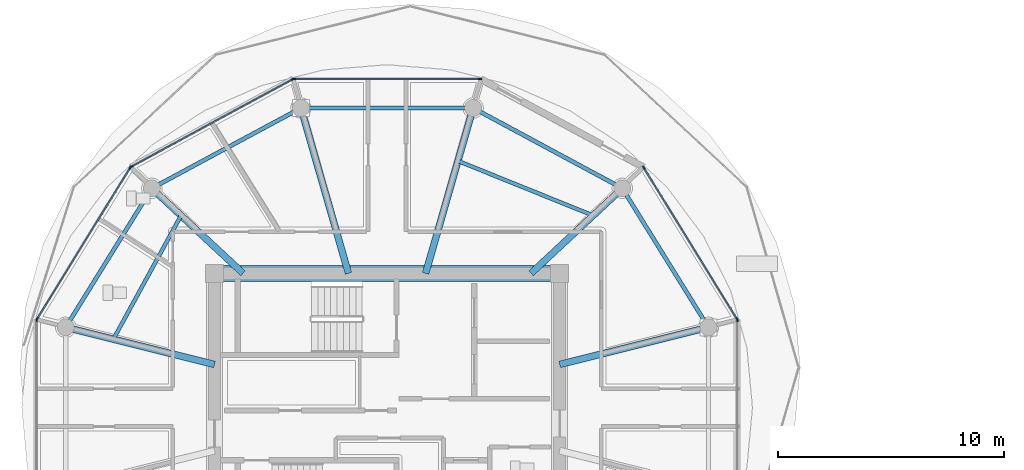
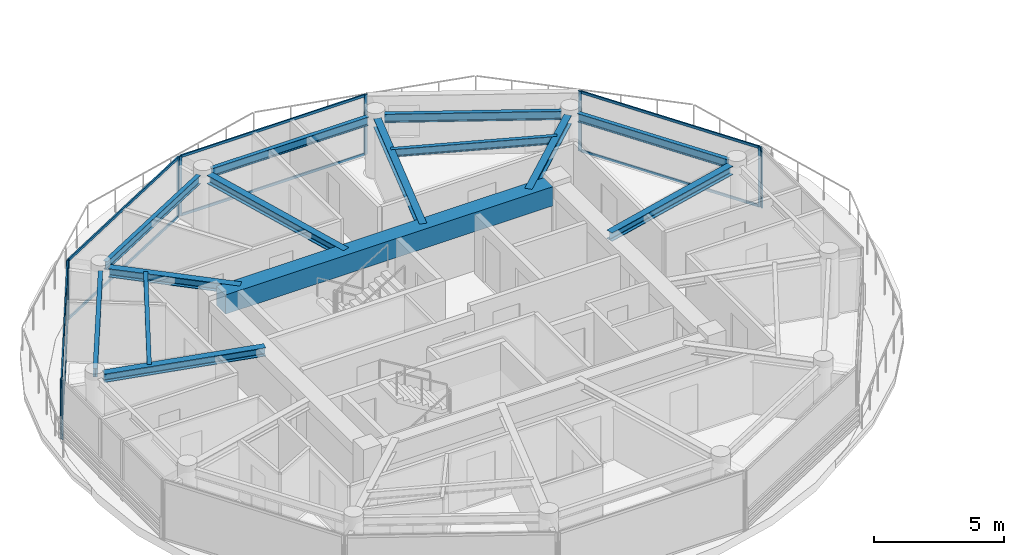
# One storey, part 4 of 28: 18 members, 14 beams, 6 elements without a shape of their own.
"""IFC4 building model written with IfcOpenShell, lengths in metres."""

import ifcopenshell
import ifcopenshell.guid

model = None  # the IFC model being written
_history = None  # IfcOwnerHistory: only IFC2X3 demands one
_inside = {}  # id of a spatial element -> (the spatial element, [elements in it])
_under = {}  # id of a project, library or spatial element -> (it, [spatial elements below it])
_declared = {}  # id of a project -> (the project, [libraries it declares])
_typed = {}  # id of a type object -> (the type object, [elements of that type])
_made_of = {}  # id of a material, layer set ... -> (it, [elements and type objects made of it])


def new_model(schema):
    """Start an empty IFC model of exactly this schema.

    Asked for "IFC4X3", IfcOpenShell would pick the latest addendum, in which some entities
    have other attributes; the version numbers below select the first issue.
    IFC2X3 requires an IfcOwnerHistory on every rooted entity: one is made here for all.
    """
    global model, _history
    if schema == "IFC4X3":
        model = ifcopenshell.file(schema_version=(4, 3, 0, 0))
    else:
        model = ifcopenshell.file(schema=schema)
    _inside.clear()
    _under.clear()
    _declared.clear()
    _typed.clear()
    _made_of.clear()
    _history = None
    if model.schema == "IFC2X3":
        org = make("IfcOrganization", Name="unknown")
        user = make(
            "IfcPersonAndOrganization",
            ThePerson=make("IfcPerson", FamilyName="unknown"),
            TheOrganization=org,
        )
        app = make(
            "IfcApplication",
            ApplicationDeveloper=org,
            Version="unknown",
            ApplicationFullName="unknown",
            ApplicationIdentifier="unknown",
        )
        _history = make(
            "IfcOwnerHistory",
            OwningUser=user,
            OwningApplication=app,
            ChangeAction="ADDED",
            CreationDate=0,
        )
    return model


def make(cls, **values):
    """One entity of the class cls with the attributes given. An attribute that is None is left unset."""
    return model.create_entity(
        cls, **{name: value for name, value in values.items() if value is not None}
    )


def rooted(cls, **values):
    """An entity with a GlobalId (a new one), such as an element, a storey or a relation."""
    return make(cls, GlobalId=ifcopenshell.guid.new(), OwnerHistory=_history, **values)


def si_unit(unit_type, name, prefix=None):
    """IfcSIUnit, for example si_unit("LENGTHUNIT", "METRE", prefix="MILLI")."""
    return make("IfcSIUnit", UnitType=unit_type, Prefix=prefix, Name=name)


def assignment(units):
    """IfcUnitAssignment: the units of a project."""
    return None if units is None else make("IfcUnitAssignment", Units=units)


def point(xyz):
    """IfcCartesianPoint."""
    return None if xyz is None else make("IfcCartesianPoint", Coordinates=xyz)


def direction(xyz):
    """IfcDirection."""
    return None if xyz is None else make("IfcDirection", DirectionRatios=xyz)


def frame(location, z_axis=None, x_axis=None):
    """IfcAxis2Placement3D, a coordinate frame: its origin and axes. An axis left out is left unset."""
    return make(
        "IfcAxis2Placement3D",
        Location=point(location),
        Axis=direction(z_axis),
        RefDirection=direction(x_axis),
    )


def frame_2d(location, x_axis=None):
    """IfcAxis2Placement2D, a coordinate frame in the plane: its origin and x axis."""
    return make(
        "IfcAxis2Placement2D", Location=point(location), RefDirection=direction(x_axis)
    )


def origin():
    """The frame at (0, 0, 0) with its axes left unset."""
    return frame((0.0, 0.0, 0.0))


def origin_2d():
    """The frame at (0, 0) in the plane with its x axis left unset."""
    return frame_2d((0.0, 0.0))


def place(relative_to, where):
    """IfcLocalPlacement: puts the frame where relative to a parent placement (None: the world)."""
    return make(
        "IfcLocalPlacement", PlacementRelTo=relative_to, RelativePlacement=where
    )


def context(
    kind, dimensions, precision=None, world=None, true_north=None, identifier=None
):
    """IfcGeometricRepresentationContext, for example the 3D "Model" context."""
    return make(
        "IfcGeometricRepresentationContext",
        ContextIdentifier=identifier,
        ContextType=kind,
        CoordinateSpaceDimension=dimensions,
        Precision=precision,
        WorldCoordinateSystem=world,
        TrueNorth=true_north,
    )


def subcontext(parent, identifier, kind, view, scale=None):
    """IfcGeometricRepresentationSubContext, for example "Body" below "Model"."""
    return make(
        "IfcGeometricRepresentationSubContext",
        ContextIdentifier=identifier,
        ContextType=kind,
        ParentContext=parent,
        TargetScale=scale,
        TargetView=view,
    )


def project(units=None, contexts=None):
    """IfcProject with its units and contexts."""
    return rooted(
        "IfcProject",
        Name="project",
        RepresentationContexts=contexts,
        UnitsInContext=assignment(units),
    )


def spatial(cls, under=None, at=None, **own):
    """A site, building, storey or space (cls), placed at a placement, below another one or the project."""
    s = rooted(cls, ObjectPlacement=at, **own)
    if under is not None:
        _under.setdefault(under.id(), (under, []))[1].append(s)
    return s


def profile(cls, at=None, kind="AREA", **sizes):
    """A parametric profile (cls). Its sizes go by their IFC names, for example OverallWidth=200.0."""
    return make(cls, ProfileType=kind, Position=at, **sizes)


def rectangle(**sizes):
    """IfcRectangleProfileDef."""
    return profile("IfcRectangleProfileDef", **sizes)


def i_section(**sizes):
    """IfcIShapeProfileDef."""
    return profile("IfcIShapeProfileDef", **sizes)


def extrude(swept, where, along, depth):
    """IfcExtrudedAreaSolid: the profile swept, set in the frame where, extruded along a direction by depth."""
    return make(
        "IfcExtrudedAreaSolid",
        SweptArea=swept,
        Position=where,
        ExtrudedDirection=direction(along),
        Depth=depth,
    )


def shape(context_of_items, identifier, shape_type, items):
    """IfcShapeRepresentation: the items that make up one representation, for example the "Body"."""
    return make(
        "IfcShapeRepresentation",
        ContextOfItems=context_of_items,
        RepresentationIdentifier=identifier,
        RepresentationType=shape_type,
        Items=items,
    )


def source(mapping_origin, context_of_items, identifier, shape_type, items):
    """IfcRepresentationMap: a shape defined once, which mapped items show again and again."""
    return make(
        "IfcRepresentationMap",
        MappingOrigin=mapping_origin,
        MappedRepresentation=shape(context_of_items, identifier, shape_type, items),
    )


def transform(
    local_origin,
    x_axis=None,
    y_axis=None,
    z_axis=None,
    scale=None,
    scale2=None,
    scale3=None,
    uniform=True,
):
    """IfcCartesianTransformationOperator3D, or its non-uniform kind. x_axis, y_axis, z_axis: its Axis1, 2, 3."""
    if uniform:
        return make(
            "IfcCartesianTransformationOperator3D",
            Axis1=direction(x_axis),
            Axis2=direction(y_axis),
            LocalOrigin=point(local_origin),
            Scale=scale,
            Axis3=direction(z_axis),
        )
    return make(
        "IfcCartesianTransformationOperator3DnonUniform",
        Axis1=direction(x_axis),
        Axis2=direction(y_axis),
        LocalOrigin=point(local_origin),
        Scale=scale,
        Axis3=direction(z_axis),
        Scale2=scale2,
        Scale3=scale3,
    )


def mapped(mapping_source, mapping_target):
    """IfcMappedItem: shows the shape of a source again, moved by a transform."""
    return make(
        "IfcMappedItem", MappingSource=mapping_source, MappingTarget=mapping_target
    )


def material(Name=None, Category=None):
    """IfcMaterial."""
    return make("IfcMaterial", Name=Name, Category=Category)


def layer(
    of_material, thickness, ventilated=None, Name=None, Category=None, Priority=None
):
    """IfcMaterialLayer: one layer of a wall or slab, of a material (None: an air gap)."""
    return make(
        "IfcMaterialLayer",
        Material=of_material,
        LayerThickness=thickness,
        IsVentilated=ventilated,
        Name=Name,
        Category=Category,
        Priority=Priority,
    )


def layer_set(layers, Name=None):
    """IfcMaterialLayerSet."""
    return make("IfcMaterialLayerSet", MaterialLayers=layers, LayerSetName=Name)


def material_profile(
    of_material, cross_section, Name=None, Category=None, Priority=None
):
    """IfcMaterialProfile: a cross section and its material."""
    return make(
        "IfcMaterialProfile",
        Name=Name,
        Material=of_material,
        Profile=cross_section,
        Priority=Priority,
        Category=Category,
    )


def profile_set(profiles, Name=None, composite=None):
    """IfcMaterialProfileSet."""
    return make(
        "IfcMaterialProfileSet",
        Name=Name,
        MaterialProfiles=profiles,
        CompositeProfile=composite,
    )


def made_of(thing, what):
    """Note that an element or type object is made of a material, layer set ...; save() writes the relation."""
    if what is not None:
        _made_of.setdefault(what.id(), (what, []))[1].append(thing)
    return thing


def type_object(cls, material=None, **own):
    """A type object (cls), such as IfcWallType, which elements share."""
    return made_of(rooted(cls, **own), material)


def type_shapes(of_type, sources):
    """Give a type object the sources (RepresentationMaps) that its elements show as mapped items."""
    of_type.RepresentationMaps = sources


def element(
    cls,
    number,
    at=None,
    inside=None,
    cuts=None,
    type_object=None,
    material=None,
    context=None,
    identifier="Body",
    shape_type=None,
    held_by="IfcProductDefinitionShape",
    body=None,
    shapes=None,
    **own,
):
    """One element of the class cls, such as IfcWall. Its Tag is "e" and its number.

    at: its placement. inside: the storey or other place that contains it. cuts: it is an
    opening in that element (IfcRelVoidsElement). A single representation is given by context,
    identifier, shape_type and body (its items); several are given by shapes. held_by: the class
    of the entity that holds the representations. save() writes the other relations.
    """
    e = rooted(cls, Tag="e%d" % number, ObjectPlacement=at, **own)
    if body is not None:
        shapes = [shape(context, identifier, shape_type, body)]
    if shapes is not None:
        e.Representation = make(held_by, Representations=shapes)
    if inside is not None:
        _inside.setdefault(inside.id(), (inside, []))[1].append(e)
    if cuts is not None:
        rooted(
            "IfcRelVoidsElement", RelatingBuildingElement=cuts, RelatedOpeningElement=e
        )
    if type_object is not None:
        _typed.setdefault(type_object.id(), (type_object, []))[1].append(e)
    return made_of(e, material)


def aggregate(whole, parts):
    """IfcRelAggregates: a whole, such as a stair, and the parts it consists of."""
    return rooted("IfcRelAggregates", RelatingObject=whole, RelatedObjects=parts)


def save(model, path):
    """Write the relations noted so far, then the file.

    IfcRelAggregates (storeys below a building ...), IfcRelContainedInSpatialStructure (elements
    in a storey), IfcRelDefinesByType, IfcRelAssociatesMaterial and IfcRelDeclares: one each for
    every whole, place, type object, material and project.
    """
    for whole, parts in _under.values():
        aggregate(whole, parts)
    for where, things in _inside.values():
        rooted(
            "IfcRelContainedInSpatialStructure",
            RelatedElements=things,
            RelatingStructure=where,
        )
    for kind, things in _typed.values():
        rooted("IfcRelDefinesByType", RelatedObjects=things, RelatingType=kind)
    for what, things in _made_of.values():
        rooted("IfcRelAssociatesMaterial", RelatedObjects=things, RelatingMaterial=what)
    for by, libraries in _declared.values():
        rooted("IfcRelDeclares", RelatingContext=by, RelatedDefinitions=libraries)
    model.write(path)


model = new_model("IFC4")

# Units and contexts
model_context = context("Model", 3, precision=1e-05, world=origin(), true_north=direction((0.0, 1.0)))
body_context = subcontext(model_context, "Body", "Model", "MODEL_VIEW")
ifc_project = project(units=[si_unit("LENGTHUNIT", "METRE"), si_unit("AREAUNIT", "SQUARE_METRE"), si_unit("VOLUMEUNIT", "CUBIC_METRE"), si_unit("PLANEANGLEUNIT", "RADIAN"), si_unit("MASSUNIT", "GRAM", prefix="KILO")], contexts=[model_context])

# Site, building, storey
site_placement = place(None, origin())
site = spatial("IfcSite", under=ifc_project, at=site_placement, CompositionType="ELEMENT")
building_placement = place(site_placement, origin())
building = spatial("IfcBuilding", under=site, at=building_placement, Name="Norrkilde Senior Care Towers", CompositionType="ELEMENT")
storey_placement = place(building_placement, frame((0.0, 0.0, 190.64990234375)))
storey = spatial("IfcBuildingStorey", under=building, at=storey_placement, Name="L59", CompositionType="ELEMENT", Elevation=190.64990234375)

# Beams
ifc_material_1 = material(Name="Concrete C60/75", Category="concrete")
ifc_material_profile_1 = material_profile(ifc_material_1, rectangle(XDim=0.699951171875, YDim=0.89990234375, at=origin_2d()), Name="RC BM 700x900")
ifc_profile_set_1 = profile_set([ifc_material_profile_1], Name="Concrete C60/75")
beam_type_1 = type_object("IfcBeamType", Name="Core Coupling Girder 700x900", PredefinedType="USERDEFINED", material=ifc_profile_set_1)
shared_shape_1 = source(origin(), body_context, "Body", "SweptSolid", [
    extrude(rectangle(XDim=0.699951171875, YDim=0.89990234375, at=origin_2d()), origin(), (0.0, 0.0, 1.0), 14.5400390625),
])
type_shapes(beam_type_1, [shared_shape_1])
beam_1_placement = place(storey_placement, frame((-35.27001953125, 5.949951171875, 2.360107421875), z_axis=(1.0, 0.0, 0.0), x_axis=(0.0, 1.0, 0.0)))
element("IfcBeam", 1, at=beam_1_placement, inside=storey, type_object=beam_type_1, Name="L59 Core W N Coupling Girder", ObjectType="GIRDER", PredefinedType="USERDEFINED", context=body_context, shape_type="MappedRepresentation", body=[
    mapped(shared_shape_1, transform((0.0, 0.0, 0.0), x_axis=(1.0, 0.0, 0.0), y_axis=(0.0, 1.0, 0.0), z_axis=(0.0, 0.0, 1.0), scale=1.0)),
])
ifc_material_2 = material(Name="Steel S355", Category="steel")
ifc_material_profile_2 = material_profile(ifc_material_2, i_section(OverallWidth=0.179931640625, OverallDepth=0.39990234375, WebThickness=0.008544921875, FlangeThickness=0.013427734375, FilletRadius=0.02099609375, at=origin_2d()), Name="IPE 400")
ifc_profile_set_2 = profile_set([ifc_material_profile_2], Name="Steel S355")
beam_type_2 = type_object("IfcBeamType", Name="Perimeter Ring Spandrel Z4 IPE400", PredefinedType="SPANDREL", material=ifc_profile_set_2)
shared_shape_2 = source(origin(), body_context, "Body", "SweptSolid", [
    extrude(i_section(OverallWidth=0.179931640625, OverallDepth=0.39990234375, WebThickness=0.008544921875, FlangeThickness=0.013427734375, FilletRadius=0.02099609375, at=origin_2d()), origin(), (0.0, 0.0, 1.0), 6.58056640625),
])
for number, where, z_axis, x_axis, name in (
    (2, (-13.928955078125, 3.843505859375, 2.610107421875), (-0.526529583789, 0.850156807533, 0.0), (-0.850156807533, -0.526529583789, 0.0), "L59 Drum W Perimeter Spandrel 01"),
    (3, (-38.606201171875, 9.43798828125, 2.610107421875), (-0.526529583789, -0.850156807533, 0.0), (0.850156807533, -0.526529583789, 0.0), "L59 Drum W Perimeter Spandrel 05"),
):
    element("IfcBeam", number, at=place(storey_placement, frame(where, z_axis=z_axis, x_axis=x_axis)), inside=storey, type_object=beam_type_2, Name=name, PredefinedType="SPANDREL", context=body_context, shape_type="MappedRepresentation", body=[
        mapped(shared_shape_2, transform((0.0, 0.0, 0.0), x_axis=(1.0, 0.0, 0.0), y_axis=(0.0, 1.0, 0.0), z_axis=(0.0, 0.0, 1.0), scale=1.0)),
    ])
ifc_material_profile_3 = material_profile(ifc_material_2, i_section(OverallWidth=0.300048828125, OverallDepth=0.39990234375, WebThickness=0.013427734375, FlangeThickness=0.02392578125, FilletRadius=0.027099609375, at=origin_2d()), Name="HEB 400")
ifc_profile_set_3 = profile_set([ifc_material_profile_3], Name="Steel S355")
beam_type_3 = type_object("IfcBeamType", Name="Radial Floor Beam Z4 HEB400", PredefinedType="BEAM", material=ifc_profile_set_3)
shared_shape_3 = source(origin(), body_context, "Body", "SweptSolid", [
    extrude(i_section(OverallWidth=0.300048828125, OverallDepth=0.39990234375, WebThickness=0.013427734375, FlangeThickness=0.02392578125, FilletRadius=0.027099609375, at=origin_2d()), origin(), (0.0, 0.0, 1.0), 6.465087890625),
])
for number, where, z_axis, x_axis, name in (
    (4, (-20.35009765625, 1.910888671875, 2.610107421875), (0.970195788563, 0.242322371758, 0.0), (-0.242322371758, 0.970195788563, 0.0), "L59 Drum W Radial Floor Beam 01"),
    (5, (-35.64990234375, 1.910888671875, 2.610107421875), (-0.970195788563, 0.242322371758, 0.0), (-0.242322371758, -0.970195788563, 0.0), "L59 Drum W Radial Floor Beam 06"),
):
    element("IfcBeam", number, at=place(storey_placement, frame(where, z_axis=z_axis, x_axis=x_axis)), inside=storey, type_object=beam_type_3, Name=name, PredefinedType="BEAM", context=body_context, shape_type="MappedRepresentation", body=[
        mapped(shared_shape_3, transform((0.0, 0.0, 0.0), x_axis=(1.0, 0.0, 0.0), y_axis=(0.0, 1.0, 0.0), z_axis=(0.0, 0.0, 1.0), scale=1.0)),
    ])
shared_shape_4 = source(origin(), body_context, "Body", "SweptSolid", [
    extrude(i_section(OverallWidth=0.179931640625, OverallDepth=0.39990234375, WebThickness=0.008544921875, FlangeThickness=0.013427734375, FilletRadius=0.02099609375, at=origin_2d()), origin(), (0.0, 0.0, 1.0), 6.839111328125),
])
for number, where, z_axis, x_axis, name in (
    (6, (-17.865234375, 9.881591796875, 2.610107421875), (-0.880563930732, 0.473927382511, 0.0), (-0.473927382511, -0.880563930732, 0.0), "L59 Drum W Perimeter Spandrel 02"),
    (7, (-32.112548828125, 13.122802734375, 2.610107421875), (-0.880563930732, -0.473927382511, 0.0), (0.473927382511, -0.880563930732, 0.0), "L59 Drum W Perimeter Spandrel 04"),
):
    element("IfcBeam", number, at=place(storey_placement, frame(where, z_axis=z_axis, x_axis=x_axis)), inside=storey, type_object=beam_type_2, Name=name, PredefinedType="SPANDREL", context=body_context, shape_type="MappedRepresentation", body=[
        mapped(shared_shape_4, transform((0.0, 0.0, 0.0), x_axis=(1.0, 0.0, 0.0), y_axis=(0.0, 1.0, 0.0), z_axis=(0.0, 0.0, 1.0), scale=1.0)),
    ])
shared_shape_5 = source(origin(), body_context, "Body", "SweptSolid", [
    extrude(i_section(OverallWidth=0.300048828125, OverallDepth=0.39990234375, WebThickness=0.013427734375, FlangeThickness=0.02392578125, FilletRadius=0.027099609375, at=origin_2d()), origin(), (0.0, 0.0, 1.0), 5.197998046875),
])
for number, where, z_axis, x_axis, name in (
    (8, (-21.6171875, 5.949951171875, 2.610107421875), (0.731448749334, 0.681896419625, 0.0), (-0.681896419625, 0.731448749334, 0.0), "L59 Drum W Radial Floor Beam 02"),
    (9, (-34.3828125, 5.949951171875, 2.610107421875), (-0.731448749334, 0.681896419625, 0.0), (-0.681896419625, -0.731448749334, 0.0), "L59 Drum W Radial Floor Beam 05"),
):
    element("IfcBeam", number, at=place(storey_placement, frame(where, z_axis=z_axis, x_axis=x_axis)), inside=storey, type_object=beam_type_3, Name=name, PredefinedType="BEAM", context=body_context, shape_type="MappedRepresentation", body=[
        mapped(shared_shape_5, transform((0.0, 0.0, 0.0), x_axis=(1.0, 0.0, 0.0), y_axis=(0.0, 1.0, 0.0), z_axis=(0.0, 0.0, 1.0), scale=1.0)),
    ])
shared_shape_6 = source(origin(), body_context, "Body", "SweptSolid", [
    extrude(i_section(OverallWidth=0.179931640625, OverallDepth=0.39990234375, WebThickness=0.008544921875, FlangeThickness=0.013427734375, FilletRadius=0.02099609375, at=origin_2d()), origin(), (0.0, 0.0, 1.0), 6.96533203125),
])
type_shapes(beam_type_2, [shared_shape_2, shared_shape_4, shared_shape_6])
beam_2_placement = place(storey_placement, frame((-24.517333984375, 13.281494140625, 2.610107421875), z_axis=(-1.0, 0.0, 0.0), x_axis=(0.0, -1.0, 0.0)))
element("IfcBeam", 10, at=beam_2_placement, inside=storey, type_object=beam_type_2, Name="L59 Drum W Perimeter Spandrel 03", PredefinedType="SPANDREL", context=body_context, shape_type="MappedRepresentation", body=[
    mapped(shared_shape_6, transform((0.0, 0.0, 0.0), x_axis=(1.0, 0.0, 0.0), y_axis=(0.0, 1.0, 0.0), z_axis=(0.0, 0.0, 1.0), scale=1.0)),
])
shared_shape_7 = source(origin(), body_context, "Body", "SweptSolid", [
    extrude(i_section(OverallWidth=0.300048828125, OverallDepth=0.39990234375, WebThickness=0.013427734375, FlangeThickness=0.02392578125, FilletRadius=0.027099609375, at=origin_2d()), origin(), (0.0, 0.0, 1.0), 7.29345703125),
])
type_shapes(beam_type_3, [shared_shape_3, shared_shape_5, shared_shape_7])
for number, where, z_axis, x_axis, name in (
    (11, (-26.289794921875, 5.949951171875, 2.610107421875), (0.276263751906, 0.961081858836, 0.0), (-0.961081858836, 0.276263751906, 0.0), "L59 Drum W Radial Floor Beam 03"),
    (12, (-29.710205078125, 5.949951171875, 2.610107421875), (-0.276263751906, 0.961081858836, 0.0), (-0.961081858836, -0.276263751906, 0.0), "L59 Drum W Radial Floor Beam 04"),
):
    element("IfcBeam", number, at=place(storey_placement, frame(where, z_axis=z_axis, x_axis=x_axis)), inside=storey, type_object=beam_type_3, Name=name, PredefinedType="BEAM", context=body_context, shape_type="MappedRepresentation", body=[
        mapped(shared_shape_7, transform((0.0, 0.0, 0.0), x_axis=(1.0, 0.0, 0.0), y_axis=(0.0, 1.0, 0.0), z_axis=(0.0, 0.0, 1.0), scale=1.0)),
    ])
ifc_material_profile_4 = material_profile(ifc_material_2, i_section(OverallWidth=0.169921875, OverallDepth=0.360107421875, WebThickness=0.008056640625, FlangeThickness=0.0126953125, FilletRadius=0.01806640625, at=origin_2d()), Name="IPE 360")
ifc_profile_set_4 = profile_set([ifc_material_profile_4], Name="Steel S355")
beam_type_4 = type_object("IfcBeamType", Name="Secondary Floor Joist IPE360", PredefinedType="JOIST", material=ifc_profile_set_4)
shared_shape_8 = source(origin(), body_context, "Body", "SweptSolid", [
    extrude(i_section(OverallWidth=0.169921875, OverallDepth=0.360107421875, WebThickness=0.008056640625, FlangeThickness=0.0126953125, FilletRadius=0.01806640625, at=origin_2d()), origin(), (0.0, 0.0, 1.0), 6.461669921875),
])
beam_3_placement = place(storey_placement, frame((-18.865234375, 8.515380859375, 2.630126953125), z_axis=(-0.927225942298, 0.374502405772, 0.0), x_axis=(-0.374502405772, -0.927225942298, 0.0)))
element("IfcBeam", 13, at=beam_3_placement, inside=storey, type_object=beam_type_4, Name="L59 Drum W Secondary Floor Joist 1", PredefinedType="JOIST", context=body_context, shape_type="MappedRepresentation", body=[
    mapped(shared_shape_8, transform((0.0, 0.0, 0.0), x_axis=(1.0, 0.0, 0.0), y_axis=(0.0, 1.0, 0.0), z_axis=(0.0, 0.0, 1.0), scale=1.0)),
])
shared_shape_9 = source(origin(), body_context, "Body", "SweptSolid", [
    extrude(i_section(OverallWidth=0.169921875, OverallDepth=0.360107421875, WebThickness=0.008056640625, FlangeThickness=0.0126953125, FilletRadius=0.01806640625, at=origin_2d()), origin(), (0.0, 0.0, 1.0), 6.25146484375),
])
type_shapes(beam_type_4, [shared_shape_8, shared_shape_9])
beam_4_placement = place(storey_placement, frame((-37.134765625, 8.515380859375, 2.630126953125), z_axis=(-0.480115752653, -0.877205143655, 0.0), x_axis=(0.877205143655, -0.480115752653, 0.0)))
element("IfcBeam", 14, at=beam_4_placement, inside=storey, type_object=beam_type_4, Name="L59 Drum W Secondary Floor Joist 2", PredefinedType="JOIST", context=body_context, shape_type="MappedRepresentation", body=[
    mapped(shared_shape_9, transform((0.0, 0.0, 0.0), x_axis=(1.0, 0.0, 0.0), y_axis=(0.0, 1.0, 0.0), z_axis=(0.0, 0.0, 1.0), scale=1.0)),
])

# Curtain wall, members
ifc_material_3 = material(Name="Triple Low-E Insulated Glazing", Category="glass")
ifc_layer = layer(ifc_material_3, 0.18505859375)
ifc_layer_set = layer_set([ifc_layer], Name="Triple Low-E Insulated Glazing")
curtain_wall_type = type_object("IfcCurtainWallType", Name="CW6 Zone 4 Crown Pavilion Curtain Wall", PredefinedType="NOTDEFINED", material=ifc_layer_set)
curtain_wall_1_placement = place(storey_placement, origin())
curtain_wall_1 = element("IfcCurtainWall", 15, at=curtain_wall_1_placement, inside=storey, type_object=curtain_wall_type, Name="L59 Drum W Curtain Wall 00", PredefinedType="NOTDEFINED")
ifc_material_4 = material(Name="Anodised Aluminium", Category="aluminium")
ifc_material_profile_5 = material_profile(ifc_material_4, rectangle(XDim=0.06494140625, YDim=0.14990234375, at=origin_2d()), Name="ALU MULL 65x150")
ifc_profile_set_5 = profile_set([ifc_material_profile_5], Name="Anodised Aluminium")
member_type_1 = type_object("IfcMemberType", Name="Curtain Wall Mullion Z3-Z4 65x150", PredefinedType="MULLION", material=ifc_profile_set_5)
shared_shape_10 = source(origin(), body_context, "Body", "SweptSolid", [
    extrude(rectangle(XDim=0.06494140625, YDim=0.14990234375, at=origin_2d()), origin(), (0.0, 0.0, 1.0), 2.81005859375),
])
type_shapes(member_type_1, [shared_shape_10])
member_1_placement = place(storey_placement, frame((-16.61279296875, 10.635498046875, 0.0), z_axis=(0.0, 0.0, 1.0), x_axis=(0.851562727283, 0.524252726748, 0.0)))
member_1 = element("IfcMember", 16, at=member_1_placement, type_object=member_type_1, Name="CW-6 mullion 1", PredefinedType="MULLION", context=body_context, shape_type="MappedRepresentation", body=[
    mapped(shared_shape_10, transform((0.0, 0.0, 0.0), x_axis=(1.0, 0.0, 0.0), y_axis=(0.0, 1.0, 0.0), z_axis=(0.0, 0.0, 1.0), scale=1.0)),
])
member_2_placement = place(storey_placement, frame((-12.48486328125, 3.9306640625, 0.0), z_axis=(0.0, 0.0, 1.0), x_axis=(0.851562727283, 0.524252726748, 0.0)))
member_2 = element("IfcMember", 17, at=member_2_placement, type_object=member_type_1, Name="CW-6 mullion 2", PredefinedType="MULLION", context=body_context, shape_type="MappedRepresentation", body=[
    mapped(shared_shape_10, transform((0.0, 0.0, 0.0), x_axis=(1.0, 0.0, 0.0), y_axis=(0.0, 1.0, 0.0), z_axis=(0.0, 0.0, 1.0), scale=1.0)),
])

curtain_wall_2_placement = place(storey_placement, origin())
curtain_wall_2 = element("IfcCurtainWall", 18, at=curtain_wall_2_placement, inside=storey, type_object=curtain_wall_type, Name="L59 Drum W Curtain Wall 02", PredefinedType="NOTDEFINED")
member_3_placement = place(storey_placement, frame((-32.12939453125, 14.566162109375, 0.0), z_axis=(0.0, 0.0, 1.0), x_axis=(0.0, 1.0, 0.0)))
member_3 = element("IfcMember", 19, at=member_3_placement, type_object=member_type_1, Name="CW-6 mullion 1", PredefinedType="MULLION", context=body_context, shape_type="MappedRepresentation", body=[
    mapped(shared_shape_10, transform((0.0, 0.0, 0.0), x_axis=(1.0, 0.0, 0.0), y_axis=(0.0, 1.0, 0.0), z_axis=(0.0, 0.0, 1.0), scale=1.0)),
])
member_4_placement = place(storey_placement, frame((-23.87060546875, 14.566162109375, 0.0), z_axis=(0.0, 0.0, 1.0), x_axis=(0.0, 1.0, 0.0)))
member_4 = element("IfcMember", 20, at=member_4_placement, type_object=member_type_1, Name="CW-6 mullion 2", PredefinedType="MULLION", context=body_context, shape_type="MappedRepresentation", body=[
    mapped(shared_shape_10, transform((0.0, 0.0, 0.0), x_axis=(1.0, 0.0, 0.0), y_axis=(0.0, 1.0, 0.0), z_axis=(0.0, 0.0, 1.0), scale=1.0)),
])

curtain_wall_3_placement = place(storey_placement, origin())
curtain_wall_3 = element("IfcCurtainWall", 21, at=curtain_wall_3_placement, inside=storey, type_object=curtain_wall_type, Name="L59 Drum W Curtain Wall 03", PredefinedType="NOTDEFINED")
member_5_placement = place(storey_placement, frame((-39.341796875, 10.6787109375, 0.0), z_axis=(0.0, 0.0, 1.0), x_axis=(-0.476132676136, 0.879373455772, 0.0)))
member_5 = element("IfcMember", 22, at=member_5_placement, type_object=member_type_1, Name="CW-6 mullion 1", PredefinedType="MULLION", context=body_context, shape_type="MappedRepresentation", body=[
    mapped(shared_shape_10, transform((0.0, 0.0, 0.0), x_axis=(1.0, 0.0, 0.0), y_axis=(0.0, 1.0, 0.0), z_axis=(0.0, 0.0, 1.0), scale=1.0)),
])
member_6_placement = place(storey_placement, frame((-32.1904296875, 14.55078125, 0.0), z_axis=(0.0, 0.0, 1.0), x_axis=(-0.476132676136, 0.879373455772, 0.0)))
member_6 = element("IfcMember", 23, at=member_6_placement, type_object=member_type_1, Name="CW-6 mullion 2", PredefinedType="MULLION", context=body_context, shape_type="MappedRepresentation", body=[
    mapped(shared_shape_10, transform((0.0, 0.0, 0.0), x_axis=(1.0, 0.0, 0.0), y_axis=(0.0, 1.0, 0.0), z_axis=(0.0, 0.0, 1.0), scale=1.0)),
])

curtain_wall_4_placement = place(storey_placement, origin())
curtain_wall_4 = element("IfcCurtainWall", 24, at=curtain_wall_4_placement, inside=storey, type_object=curtain_wall_type, Name="L59 Drum W Curtain Wall 04", PredefinedType="NOTDEFINED")
member_7_placement = place(storey_placement, frame((-43.51513671875, 3.9306640625, 0.0), z_axis=(0.0, 0.0, 1.0), x_axis=(-0.851562727283, 0.524252726748, 0.0)))
member_7 = element("IfcMember", 25, at=member_7_placement, type_object=member_type_1, Name="CW-6 mullion 1", PredefinedType="MULLION", context=body_context, shape_type="MappedRepresentation", body=[
    mapped(shared_shape_10, transform((0.0, 0.0, 0.0), x_axis=(1.0, 0.0, 0.0), y_axis=(0.0, 1.0, 0.0), z_axis=(0.0, 0.0, 1.0), scale=1.0)),
])
member_8_placement = place(storey_placement, frame((-39.38720703125, 10.635498046875, 0.0), z_axis=(0.0, 0.0, 1.0), x_axis=(-0.851562727283, 0.524252726748, 0.0)))
member_8 = element("IfcMember", 26, at=member_8_placement, type_object=member_type_1, Name="CW-6 mullion 2", PredefinedType="MULLION", context=body_context, shape_type="MappedRepresentation", body=[
    mapped(shared_shape_10, transform((0.0, 0.0, 0.0), x_axis=(1.0, 0.0, 0.0), y_axis=(0.0, 1.0, 0.0), z_axis=(0.0, 0.0, 1.0), scale=1.0)),
])

# Curtain wall, member
curtain_wall_5_placement = place(storey_placement, origin())
curtain_wall_5 = element("IfcCurtainWall", 27, at=curtain_wall_5_placement, inside=storey, type_object=curtain_wall_type, Name="L59 Drum W Curtain Wall 05", PredefinedType="NOTDEFINED")
member_9_placement = place(storey_placement, frame((-43.531982421875, 3.87060546875, 0.0), z_axis=(0.0, 0.0, 1.0), x_axis=(-1.0, 0.0, 0.0)))
member_9 = element("IfcMember", 28, at=member_9_placement, type_object=member_type_1, Name="CW-6 mullion 2", PredefinedType="MULLION", context=body_context, shape_type="MappedRepresentation", body=[
    mapped(shared_shape_10, transform((0.0, 0.0, 0.0), x_axis=(1.0, 0.0, 0.0), y_axis=(0.0, 1.0, 0.0), z_axis=(0.0, 0.0, 1.0), scale=1.0)),
])
aggregate(curtain_wall_5, [member_9])

curtain_wall_6_placement = place(storey_placement, origin())
curtain_wall_6 = element("IfcCurtainWall", 29, at=curtain_wall_6_placement, inside=storey, type_object=curtain_wall_type, Name="L59 Drum W Curtain Wall 11", PredefinedType="NOTDEFINED")
member_10_placement = place(storey_placement, frame((-12.468017578125, 3.87060546875, 0.0), z_axis=(0.0, 0.0, 1.0), x_axis=(1.0, 0.0, 0.0)))
member_10 = element("IfcMember", 30, at=member_10_placement, type_object=member_type_1, Name="CW-6 mullion 1", PredefinedType="MULLION", context=body_context, shape_type="MappedRepresentation", body=[
    mapped(shared_shape_10, transform((0.0, 0.0, 0.0), x_axis=(1.0, 0.0, 0.0), y_axis=(0.0, 1.0, 0.0), z_axis=(0.0, 0.0, 1.0), scale=1.0)),
])
aggregate(curtain_wall_6, [member_10])

# Member
ifc_material_profile_6 = material_profile(ifc_material_4, rectangle(XDim=0.06005859375, YDim=0.1201171875, at=origin_2d()), Name="ALU TRAN 60x120")
ifc_profile_set_6 = profile_set([ifc_material_profile_6], Name="Anodised Aluminium")
member_type_2 = type_object("IfcMemberType", Name="Curtain Wall Transom Typical 60x120", PredefinedType="USERDEFINED", material=ifc_profile_set_6)
shared_shape_11 = source(origin(), body_context, "Body", "SweptSolid", [
    extrude(rectangle(XDim=0.06005859375, YDim=0.1201171875, at=origin_2d()), origin(), (0.0, 0.0, 1.0), 7.808837890625),
])
member_11_placement = place(storey_placement, frame((-16.595703125, 10.60791015625, 0.030029296875), z_axis=(0.524250924101, -0.851563837055, 0.0), x_axis=(0.851563837055, 0.524250924101, 0.0)))
member_11 = element("IfcMember", 31, at=member_11_placement, type_object=member_type_2, Name="CW-6 transom 1.1", ObjectType="TRANSOM", PredefinedType="USERDEFINED", context=body_context, shape_type="MappedRepresentation", body=[
    mapped(shared_shape_11, transform((0.0, 0.0, 0.0), x_axis=(1.0, 0.0, 0.0), y_axis=(0.0, 1.0, 0.0), z_axis=(0.0, 0.0, 1.0), scale=1.0)),
])

member_12_placement = place(storey_placement, frame((-16.595703125, 10.60791015625, 2.780029296875), z_axis=(0.524250924101, -0.851563837055, 0.0), x_axis=(0.851563837055, 0.524250924101, 0.0)))
member_12 = element("IfcMember", 32, at=member_12_placement, type_object=member_type_2, Name="CW-6 transom 1.2", ObjectType="TRANSOM", PredefinedType="USERDEFINED", context=body_context, shape_type="MappedRepresentation", body=[
    mapped(shared_shape_11, transform((0.0, 0.0, 0.0), x_axis=(1.0, 0.0, 0.0), y_axis=(0.0, 1.0, 0.0), z_axis=(0.0, 0.0, 1.0), scale=1.0)),
])

aggregate(curtain_wall_1, [member_1, member_2, member_11, member_12])

member_13_placement = place(storey_placement, frame((-43.498046875, 3.958251953125, 0.030029296875), z_axis=(0.524250924101, 0.851563837055, 0.0), x_axis=(-0.851563837055, 0.524250924101, 0.0)))
member_13 = element("IfcMember", 33, at=member_13_placement, type_object=member_type_2, Name="CW-6 transom 1.1", ObjectType="TRANSOM", PredefinedType="USERDEFINED", context=body_context, shape_type="MappedRepresentation", body=[
    mapped(shared_shape_11, transform((0.0, 0.0, 0.0), x_axis=(1.0, 0.0, 0.0), y_axis=(0.0, 1.0, 0.0), z_axis=(0.0, 0.0, 1.0), scale=1.0)),
])

member_14_placement = place(storey_placement, frame((-43.498046875, 3.958251953125, 2.780029296875), z_axis=(0.524250924101, 0.851563837055, 0.0), x_axis=(-0.851563837055, 0.524250924101, 0.0)))
member_14 = element("IfcMember", 34, at=member_14_placement, type_object=member_type_2, Name="CW-6 transom 1.2", ObjectType="TRANSOM", PredefinedType="USERDEFINED", context=body_context, shape_type="MappedRepresentation", body=[
    mapped(shared_shape_11, transform((0.0, 0.0, 0.0), x_axis=(1.0, 0.0, 0.0), y_axis=(0.0, 1.0, 0.0), z_axis=(0.0, 0.0, 1.0), scale=1.0)),
])

aggregate(curtain_wall_4, [member_7, member_8, member_13, member_14])

shared_shape_12 = source(origin(), body_context, "Body", "SweptSolid", [
    extrude(rectangle(XDim=0.06005859375, YDim=0.1201171875, at=origin_2d()), origin(), (0.0, 0.0, 1.0), 8.19384765625),
])
member_15_placement = place(storey_placement, frame((-32.096923828125, 14.566162109375, 0.030029296875), z_axis=(1.0, 0.0, 0.0), x_axis=(0.0, 1.0, 0.0)))
member_15 = element("IfcMember", 35, at=member_15_placement, type_object=member_type_2, Name="CW-6 transom 1.1", ObjectType="TRANSOM", PredefinedType="USERDEFINED", context=body_context, shape_type="MappedRepresentation", body=[
    mapped(shared_shape_12, transform((0.0, 0.0, 0.0), x_axis=(1.0, 0.0, 0.0), y_axis=(0.0, 1.0, 0.0), z_axis=(0.0, 0.0, 1.0), scale=1.0)),
])

member_16_placement = place(storey_placement, frame((-32.096923828125, 14.566162109375, 2.780029296875), z_axis=(1.0, 0.0, 0.0), x_axis=(0.0, 1.0, 0.0)))
member_16 = element("IfcMember", 36, at=member_16_placement, type_object=member_type_2, Name="CW-6 transom 1.2", ObjectType="TRANSOM", PredefinedType="USERDEFINED", context=body_context, shape_type="MappedRepresentation", body=[
    mapped(shared_shape_12, transform((0.0, 0.0, 0.0), x_axis=(1.0, 0.0, 0.0), y_axis=(0.0, 1.0, 0.0), z_axis=(0.0, 0.0, 1.0), scale=1.0)),
])

aggregate(curtain_wall_2, [member_3, member_4, member_15, member_16])

shared_shape_13 = source(origin(), body_context, "Body", "SweptSolid", [
    extrude(rectangle(XDim=0.06005859375, YDim=0.1201171875, at=origin_2d()), origin(), (0.0, 0.0, 1.0), 8.0673828125),
])
type_shapes(member_type_2, [shared_shape_11, shared_shape_12, shared_shape_13])
member_17_placement = place(storey_placement, frame((-39.313232421875, 10.694091796875, 0.030029296875), z_axis=(0.87937750072, 0.476125205411, 0.0), x_axis=(-0.476125205411, 0.87937750072, 0.0)))
member_17 = element("IfcMember", 37, at=member_17_placement, type_object=member_type_2, Name="CW-6 transom 1.1", ObjectType="TRANSOM", PredefinedType="USERDEFINED", context=body_context, shape_type="MappedRepresentation", body=[
    mapped(shared_shape_13, transform((0.0, 0.0, 0.0), x_axis=(1.0, 0.0, 0.0), y_axis=(0.0, 1.0, 0.0), z_axis=(0.0, 0.0, 1.0), scale=1.0)),
])

member_18_placement = place(storey_placement, frame((-39.313232421875, 10.694091796875, 2.780029296875), z_axis=(0.87937750072, 0.476125205411, 0.0), x_axis=(-0.476125205411, 0.87937750072, 0.0)))
member_18 = element("IfcMember", 38, at=member_18_placement, type_object=member_type_2, Name="CW-6 transom 1.2", ObjectType="TRANSOM", PredefinedType="USERDEFINED", context=body_context, shape_type="MappedRepresentation", body=[
    mapped(shared_shape_13, transform((0.0, 0.0, 0.0), x_axis=(1.0, 0.0, 0.0), y_axis=(0.0, 1.0, 0.0), z_axis=(0.0, 0.0, 1.0), scale=1.0)),
])

aggregate(curtain_wall_3, [member_5, member_6, member_17, member_18])

save(model, "model.ifc")
